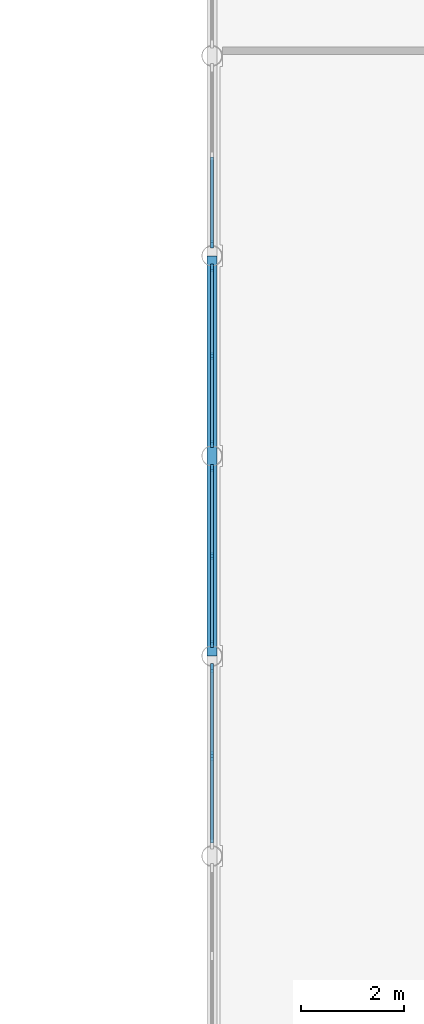
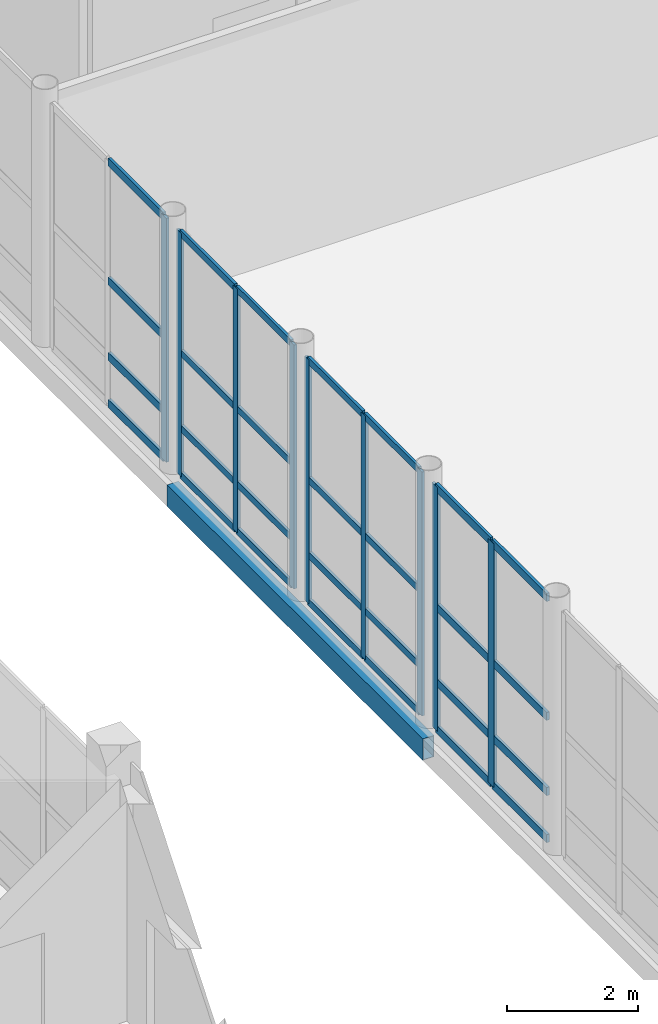
# One storey, part 35 of 131: 37 members, 1 beam, 4 elements without a shape of their own.
"""IFC4 building model written with IfcOpenShell, lengths in metres."""

from ifc_helpers import new_model, si_unit, direction, frame, origin, origin_2d, place, context, subcontext, project, spatial, rectangle, hollow_rectangle, extrude, material, layer, layer_set, material_profile, profile_set, type_object, element, aggregate, save


model = new_model("IFC4")

# Units and contexts
model_context = context("Model", 3, precision=1e-05, world=origin(), true_north=direction((0.0, 1.0)))
body_context = subcontext(model_context, "Body", "Model", "MODEL_VIEW")
ifc_project = project(units=[si_unit("LENGTHUNIT", "METRE"), si_unit("AREAUNIT", "SQUARE_METRE"), si_unit("VOLUMEUNIT", "CUBIC_METRE"), si_unit("PLANEANGLEUNIT", "RADIAN"), si_unit("MASSUNIT", "GRAM", prefix="KILO")], contexts=[model_context])

# Site, building, storey
site_placement = place(None, origin())
site = spatial("IfcSite", under=ifc_project, at=site_placement, CompositionType="ELEMENT")
building_placement = place(site_placement, origin())
building = spatial("IfcBuilding", under=site, at=building_placement, Name="Celorna Specialist Clinic", CompositionType="ELEMENT")
storey_placement = place(building_placement, origin())
storey = spatial("IfcBuildingStorey", under=building, at=storey_placement, Name="L00", CompositionType="ELEMENT", Elevation=0.0)

# Beam
ifc_material_1 = material(Name="Steel S355", Category="steel")
ifc_material_profile_1 = material_profile(ifc_material_1, hollow_rectangle(XDim=0.199951171875, YDim=0.39990234375, WallThickness=0.011962890625, at=origin_2d()), Name="RHS 200x400x12")
ifc_profile_set_1 = profile_set([ifc_material_profile_1], Name="Steel S355")
beam_type = type_object("IfcBeamType", Name="BM-15", PredefinedType="SPANDREL", material=ifc_profile_set_1)
beam_placement = place(storey_placement, frame((54.60009765625, 54.60009765625, -0.5), z_axis=(0.0, 1.0, 0.0), x_axis=(-1.0, 0.0, 0.0)))
element("IfcBeam", 1, at=beam_placement, inside=storey, type_object=beam_type, Name="Spandrel beam BM-15 #162", PredefinedType="SPANDREL", context=body_context, shape_type="SweptSolid", body=[
    extrude(hollow_rectangle(XDim=0.199951171875, YDim=0.39990234375, WallThickness=0.011962890625, at=origin_2d()), origin(), (0.0, 0.0, 1.0), 7.7998046875),
])

# Curtain wall, member
ifc_material_2 = material(Name="Thermally broken aluminium and solar-control glass curtain wall", Category="aluminium")
ifc_layer_1 = layer(ifc_material_2, 0.159912109375, Name="Thermally broken aluminium and solar-control glass curtain wall")
ifc_layer_set_1 = layer_set([ifc_layer_1], Name="Thermally broken aluminium and solar-control glass curtain wall")
curtain_wall_type_1 = type_object("IfcCurtainWallType", Name="CW-06", PredefinedType="NOTDEFINED", material=ifc_layer_set_1)
curtain_wall_1_placement = place(storey_placement, origin())
curtain_wall_1 = element("IfcCurtainWall", 2, at=curtain_wall_1_placement, inside=storey, type_object=curtain_wall_type_1, Name="Curtain wall CW-06 #14", PredefinedType="NOTDEFINED")
ifc_material_3 = material(Name="Anodized aluminium mullion", Category="aluminium")
ifc_material_profile_2 = material_profile(ifc_material_3, rectangle(XDim=0.050048828125, YDim=0.159912109375, at=origin_2d()), Name="ALU MULLION 50x160")
ifc_profile_set_2 = profile_set([ifc_material_profile_2], Name="Anodized aluminium mullion")
member_type_1 = type_object("IfcMemberType", Name="ML-01", PredefinedType="MULLION", material=ifc_profile_set_2)
member_1_placement = place(storey_placement, frame((54.60009765625, 62.632080078125, 0.0), z_axis=(0.0, 0.0, 1.0), x_axis=(-1.0, 0.0, 0.0)))
member_1 = element("IfcMember", 3, at=member_1_placement, type_object=member_type_1, Name="CW-06 mullion 1", PredefinedType="MULLION", context=body_context, shape_type="SweptSolid", body=[
    extrude(rectangle(XDim=0.050048828125, YDim=0.159912109375, at=origin_2d()), origin(), (0.0, 0.0, 1.0), 4.5400390625),
])

# Curtain wall, members
ifc_layer_2 = layer(ifc_material_2, 0.159912109375, Name="Thermally broken aluminium and solar-control glass curtain wall")
ifc_layer_set_2 = layer_set([ifc_layer_2], Name="Thermally broken aluminium and solar-control glass curtain wall")
curtain_wall_type_2 = type_object("IfcCurtainWallType", Name="CW-04", PredefinedType="NOTDEFINED", material=ifc_layer_set_2)
curtain_wall_2_placement = place(storey_placement, origin())
curtain_wall_2 = element("IfcCurtainWall", 4, at=curtain_wall_2_placement, inside=storey, type_object=curtain_wall_type_2, Name="Curtain wall CW-04 #11", PredefinedType="NOTDEFINED")
ifc_material_profile_3 = material_profile(ifc_material_3, rectangle(XDim=0.050048828125, YDim=0.179931640625, at=origin_2d()), Name="ALU MULLION 50x180")
ifc_profile_set_3 = profile_set([ifc_material_profile_3], Name="Anodized aluminium mullion")
member_type_2 = type_object("IfcMemberType", Name="ML-02", PredefinedType="MULLION", material=ifc_profile_set_3)
member_2_placement = place(storey_placement, frame((54.60009765625, 52.64990234375, 0.0), z_axis=(0.0, 0.0, 1.0), x_axis=(-1.0, 0.0, 0.0)))
member_2 = element("IfcMember", 5, at=member_2_placement, type_object=member_type_2, Name="CW-04 mullion 2", PredefinedType="MULLION", context=body_context, shape_type="SweptSolid", body=[
    extrude(rectangle(XDim=0.050048828125, YDim=0.179931640625, at=origin_2d()), origin(), (0.0, 0.0, 1.0), 4.5400390625),
])
member_3_placement = place(storey_placement, frame((54.60009765625, 54.367919921875, 0.0), z_axis=(0.0, 0.0, 1.0), x_axis=(-1.0, 0.0, 0.0)))
member_3 = element("IfcMember", 6, at=member_3_placement, type_object=member_type_2, Name="CW-04 mullion 3", PredefinedType="MULLION", context=body_context, shape_type="SweptSolid", body=[
    extrude(rectangle(XDim=0.050048828125, YDim=0.179931640625, at=origin_2d()), origin(), (0.0, 0.0, 1.0), 4.5400390625),
])

ifc_layer_3 = layer(ifc_material_2, 0.159912109375, Name="Thermally broken aluminium and solar-control glass curtain wall")
ifc_layer_set_3 = layer_set([ifc_layer_3], Name="Thermally broken aluminium and solar-control glass curtain wall")
curtain_wall_type_3 = type_object("IfcCurtainWallType", Name="CW-05", PredefinedType="NOTDEFINED", material=ifc_layer_set_3)
curtain_wall_3_placement = place(storey_placement, origin())
curtain_wall_3 = element("IfcCurtainWall", 7, at=curtain_wall_3_placement, inside=storey, type_object=curtain_wall_type_3, Name="Curtain wall CW-05 #12", PredefinedType="NOTDEFINED")
ifc_material_profile_4 = material_profile(ifc_material_3, rectangle(XDim=0.050048828125, YDim=0.139892578125, at=origin_2d()), Name="ALU MULLION 50x140")
ifc_profile_set_4 = profile_set([ifc_material_profile_4], Name="Anodized aluminium mullion")
member_type_3 = type_object("IfcMemberType", Name="ML-03", PredefinedType="MULLION", material=ifc_profile_set_4)
member_4_placement = place(storey_placement, frame((54.60009765625, 54.832275390625, 0.0), z_axis=(0.0, 0.0, 1.0), x_axis=(-1.0, 0.0, 0.0)))
member_4 = element("IfcMember", 8, at=member_4_placement, type_object=member_type_3, Name="CW-05 mullion 1", PredefinedType="MULLION", context=body_context, shape_type="SweptSolid", body=[
    extrude(rectangle(XDim=0.050048828125, YDim=0.139892578125, at=origin_2d()), origin(), (0.0, 0.0, 1.0), 4.5400390625),
])
member_5_placement = place(storey_placement, frame((54.60009765625, 56.550048828125, 0.0), z_axis=(0.0, 0.0, 1.0), x_axis=(-1.0, 0.0, 0.0)))
member_5 = element("IfcMember", 9, at=member_5_placement, type_object=member_type_3, Name="CW-05 mullion 2", PredefinedType="MULLION", context=body_context, shape_type="SweptSolid", body=[
    extrude(rectangle(XDim=0.050048828125, YDim=0.139892578125, at=origin_2d()), origin(), (0.0, 0.0, 1.0), 4.5400390625),
])
member_6_placement = place(storey_placement, frame((54.60009765625, 58.267822265625, 0.0), z_axis=(0.0, 0.0, 1.0), x_axis=(-1.0, 0.0, 0.0)))
member_6 = element("IfcMember", 10, at=member_6_placement, type_object=member_type_3, Name="CW-05 mullion 3", PredefinedType="MULLION", context=body_context, shape_type="SweptSolid", body=[
    extrude(rectangle(XDim=0.050048828125, YDim=0.139892578125, at=origin_2d()), origin(), (0.0, 0.0, 1.0), 4.5400390625),
])

curtain_wall_4_placement = place(storey_placement, origin())
curtain_wall_4 = element("IfcCurtainWall", 11, at=curtain_wall_4_placement, inside=storey, type_object=curtain_wall_type_3, Name="Curtain wall CW-05 #13", PredefinedType="NOTDEFINED")
member_7_placement = place(storey_placement, frame((54.60009765625, 58.732177734375, 0.0), z_axis=(0.0, 0.0, 1.0), x_axis=(-1.0, 0.0, 0.0)))
member_7 = element("IfcMember", 12, at=member_7_placement, type_object=member_type_3, Name="CW-05 mullion 1", PredefinedType="MULLION", context=body_context, shape_type="SweptSolid", body=[
    extrude(rectangle(XDim=0.050048828125, YDim=0.139892578125, at=origin_2d()), origin(), (0.0, 0.0, 1.0), 4.5400390625),
])
member_8_placement = place(storey_placement, frame((54.60009765625, 60.449951171875, 0.0), z_axis=(0.0, 0.0, 1.0), x_axis=(-1.0, 0.0, 0.0)))
member_8 = element("IfcMember", 13, at=member_8_placement, type_object=member_type_3, Name="CW-05 mullion 2", PredefinedType="MULLION", context=body_context, shape_type="SweptSolid", body=[
    extrude(rectangle(XDim=0.050048828125, YDim=0.139892578125, at=origin_2d()), origin(), (0.0, 0.0, 1.0), 4.5400390625),
])
member_9_placement = place(storey_placement, frame((54.60009765625, 62.167724609375, 0.0), z_axis=(0.0, 0.0, 1.0), x_axis=(-1.0, 0.0, 0.0)))
member_9 = element("IfcMember", 14, at=member_9_placement, type_object=member_type_3, Name="CW-05 mullion 3", PredefinedType="MULLION", context=body_context, shape_type="SweptSolid", body=[
    extrude(rectangle(XDim=0.050048828125, YDim=0.139892578125, at=origin_2d()), origin(), (0.0, 0.0, 1.0), 4.5400390625),
])

# Member
ifc_material_4 = material(Name="Anodized aluminium transom", Category="aluminium")
ifc_material_profile_5 = material_profile(ifc_material_4, rectangle(XDim=0.050048828125, YDim=0.1298828125, at=origin_2d()), Name="ALU TRANSOM 50x130")
ifc_profile_set_5 = profile_set([ifc_material_profile_5], Name="Anodized aluminium transom")
member_type_4 = type_object("IfcMemberType", Name="TR-01", PredefinedType="USERDEFINED", material=ifc_profile_set_5)
member_10_placement = place(storey_placement, frame((54.60009765625, 54.857177734375, 0.02490234375), z_axis=(0.0, 1.0, 0.0), x_axis=(-1.0, 0.0, 0.0)))
member_10 = element("IfcMember", 15, at=member_10_placement, type_object=member_type_4, Name="CW-05 transom 1.1", ObjectType="TRANSOM", PredefinedType="USERDEFINED", context=body_context, shape_type="SweptSolid", body=[
    extrude(rectangle(XDim=0.050048828125, YDim=0.1298828125, at=origin_2d()), origin(), (0.0, 0.0, 1.0), 1.667724609375),
])

member_11_placement = place(storey_placement, frame((54.60009765625, 54.857177734375, 0.89990234375), z_axis=(0.0, 1.0, 0.0), x_axis=(-1.0, 0.0, 0.0)))
member_11 = element("IfcMember", 16, at=member_11_placement, type_object=member_type_4, Name="CW-05 transom 1.2", ObjectType="TRANSOM", PredefinedType="USERDEFINED", context=body_context, shape_type="SweptSolid", body=[
    extrude(rectangle(XDim=0.050048828125, YDim=0.1298828125, at=origin_2d()), origin(), (0.0, 0.0, 1.0), 1.667724609375),
])

member_12_placement = place(storey_placement, frame((54.60009765625, 54.857177734375, 2.300048828125), z_axis=(0.0, 1.0, 0.0), x_axis=(-1.0, 0.0, 0.0)))
member_12 = element("IfcMember", 17, at=member_12_placement, type_object=member_type_4, Name="CW-05 transom 1.3", ObjectType="TRANSOM", PredefinedType="USERDEFINED", context=body_context, shape_type="SweptSolid", body=[
    extrude(rectangle(XDim=0.050048828125, YDim=0.1298828125, at=origin_2d()), origin(), (0.0, 0.0, 1.0), 1.667724609375),
])

member_13_placement = place(storey_placement, frame((54.60009765625, 54.857177734375, 4.514892578125), z_axis=(0.0, 1.0, 0.0), x_axis=(-1.0, 0.0, 0.0)))
member_13 = element("IfcMember", 18, at=member_13_placement, type_object=member_type_4, Name="CW-05 transom 1.4", ObjectType="TRANSOM", PredefinedType="USERDEFINED", context=body_context, shape_type="SweptSolid", body=[
    extrude(rectangle(XDim=0.050048828125, YDim=0.1298828125, at=origin_2d()), origin(), (0.0, 0.0, 1.0), 1.667724609375),
])

member_14_placement = place(storey_placement, frame((54.60009765625, 56.574951171875, 0.02490234375), z_axis=(0.0, 1.0, 0.0), x_axis=(-1.0, 0.0, 0.0)))
member_14 = element("IfcMember", 19, at=member_14_placement, type_object=member_type_4, Name="CW-05 transom 2.1", ObjectType="TRANSOM", PredefinedType="USERDEFINED", context=body_context, shape_type="SweptSolid", body=[
    extrude(rectangle(XDim=0.050048828125, YDim=0.1298828125, at=origin_2d()), origin(), (0.0, 0.0, 1.0), 1.66796875),
])

member_15_placement = place(storey_placement, frame((54.60009765625, 56.574951171875, 0.89990234375), z_axis=(0.0, 1.0, 0.0), x_axis=(-1.0, 0.0, 0.0)))
member_15 = element("IfcMember", 20, at=member_15_placement, type_object=member_type_4, Name="CW-05 transom 2.2", ObjectType="TRANSOM", PredefinedType="USERDEFINED", context=body_context, shape_type="SweptSolid", body=[
    extrude(rectangle(XDim=0.050048828125, YDim=0.1298828125, at=origin_2d()), origin(), (0.0, 0.0, 1.0), 1.66796875),
])

member_16_placement = place(storey_placement, frame((54.60009765625, 56.574951171875, 2.300048828125), z_axis=(0.0, 1.0, 0.0), x_axis=(-1.0, 0.0, 0.0)))
member_16 = element("IfcMember", 21, at=member_16_placement, type_object=member_type_4, Name="CW-05 transom 2.3", ObjectType="TRANSOM", PredefinedType="USERDEFINED", context=body_context, shape_type="SweptSolid", body=[
    extrude(rectangle(XDim=0.050048828125, YDim=0.1298828125, at=origin_2d()), origin(), (0.0, 0.0, 1.0), 1.66796875),
])

member_17_placement = place(storey_placement, frame((54.60009765625, 56.574951171875, 4.514892578125), z_axis=(0.0, 1.0, 0.0), x_axis=(-1.0, 0.0, 0.0)))
member_17 = element("IfcMember", 22, at=member_17_placement, type_object=member_type_4, Name="CW-05 transom 2.4", ObjectType="TRANSOM", PredefinedType="USERDEFINED", context=body_context, shape_type="SweptSolid", body=[
    extrude(rectangle(XDim=0.050048828125, YDim=0.1298828125, at=origin_2d()), origin(), (0.0, 0.0, 1.0), 1.66796875),
])

aggregate(curtain_wall_3, [member_4, member_5, member_6, member_10, member_11, member_12, member_13, member_14, member_15, member_16, member_17])

member_18_placement = place(storey_placement, frame((54.60009765625, 58.757080078125, 0.02490234375), z_axis=(0.0, 1.0, 0.0), x_axis=(-1.0, 0.0, 0.0)))
member_18 = element("IfcMember", 23, at=member_18_placement, type_object=member_type_4, Name="CW-05 transom 1.1", ObjectType="TRANSOM", PredefinedType="USERDEFINED", context=body_context, shape_type="SweptSolid", body=[
    extrude(rectangle(XDim=0.050048828125, YDim=0.1298828125, at=origin_2d()), origin(), (0.0, 0.0, 1.0), 1.66796875),
])

member_19_placement = place(storey_placement, frame((54.60009765625, 58.757080078125, 0.89990234375), z_axis=(0.0, 1.0, 0.0), x_axis=(-1.0, 0.0, 0.0)))
member_19 = element("IfcMember", 24, at=member_19_placement, type_object=member_type_4, Name="CW-05 transom 1.2", ObjectType="TRANSOM", PredefinedType="USERDEFINED", context=body_context, shape_type="SweptSolid", body=[
    extrude(rectangle(XDim=0.050048828125, YDim=0.1298828125, at=origin_2d()), origin(), (0.0, 0.0, 1.0), 1.66796875),
])

member_20_placement = place(storey_placement, frame((54.60009765625, 58.757080078125, 2.300048828125), z_axis=(0.0, 1.0, 0.0), x_axis=(-1.0, 0.0, 0.0)))
member_20 = element("IfcMember", 25, at=member_20_placement, type_object=member_type_4, Name="CW-05 transom 1.3", ObjectType="TRANSOM", PredefinedType="USERDEFINED", context=body_context, shape_type="SweptSolid", body=[
    extrude(rectangle(XDim=0.050048828125, YDim=0.1298828125, at=origin_2d()), origin(), (0.0, 0.0, 1.0), 1.66796875),
])

member_21_placement = place(storey_placement, frame((54.60009765625, 58.757080078125, 4.514892578125), z_axis=(0.0, 1.0, 0.0), x_axis=(-1.0, 0.0, 0.0)))
member_21 = element("IfcMember", 26, at=member_21_placement, type_object=member_type_4, Name="CW-05 transom 1.4", ObjectType="TRANSOM", PredefinedType="USERDEFINED", context=body_context, shape_type="SweptSolid", body=[
    extrude(rectangle(XDim=0.050048828125, YDim=0.1298828125, at=origin_2d()), origin(), (0.0, 0.0, 1.0), 1.66796875),
])

member_22_placement = place(storey_placement, frame((54.60009765625, 60.47509765625, 0.02490234375), z_axis=(0.0, 1.0, 0.0), x_axis=(-1.0, 0.0, 0.0)))
member_22 = element("IfcMember", 27, at=member_22_placement, type_object=member_type_4, Name="CW-05 transom 2.1", ObjectType="TRANSOM", PredefinedType="USERDEFINED", context=body_context, shape_type="SweptSolid", body=[
    extrude(rectangle(XDim=0.050048828125, YDim=0.1298828125, at=origin_2d()), origin(), (0.0, 0.0, 1.0), 1.667724609375),
])

member_23_placement = place(storey_placement, frame((54.60009765625, 60.47509765625, 0.89990234375), z_axis=(0.0, 1.0, 0.0), x_axis=(-1.0, 0.0, 0.0)))
member_23 = element("IfcMember", 28, at=member_23_placement, type_object=member_type_4, Name="CW-05 transom 2.2", ObjectType="TRANSOM", PredefinedType="USERDEFINED", context=body_context, shape_type="SweptSolid", body=[
    extrude(rectangle(XDim=0.050048828125, YDim=0.1298828125, at=origin_2d()), origin(), (0.0, 0.0, 1.0), 1.667724609375),
])

member_24_placement = place(storey_placement, frame((54.60009765625, 60.47509765625, 2.300048828125), z_axis=(0.0, 1.0, 0.0), x_axis=(-1.0, 0.0, 0.0)))
member_24 = element("IfcMember", 29, at=member_24_placement, type_object=member_type_4, Name="CW-05 transom 2.3", ObjectType="TRANSOM", PredefinedType="USERDEFINED", context=body_context, shape_type="SweptSolid", body=[
    extrude(rectangle(XDim=0.050048828125, YDim=0.1298828125, at=origin_2d()), origin(), (0.0, 0.0, 1.0), 1.667724609375),
])

member_25_placement = place(storey_placement, frame((54.60009765625, 60.47509765625, 4.514892578125), z_axis=(0.0, 1.0, 0.0), x_axis=(-1.0, 0.0, 0.0)))
member_25 = element("IfcMember", 30, at=member_25_placement, type_object=member_type_4, Name="CW-05 transom 2.4", ObjectType="TRANSOM", PredefinedType="USERDEFINED", context=body_context, shape_type="SweptSolid", body=[
    extrude(rectangle(XDim=0.050048828125, YDim=0.1298828125, at=origin_2d()), origin(), (0.0, 0.0, 1.0), 1.667724609375),
])

aggregate(curtain_wall_4, [member_7, member_8, member_9, member_18, member_19, member_20, member_21, member_22, member_23, member_24, member_25])

ifc_material_profile_6 = material_profile(ifc_material_4, rectangle(XDim=0.050048828125, YDim=0.14990234375, at=origin_2d()), Name="ALU TRANSOM 50x150")
ifc_profile_set_6 = profile_set([ifc_material_profile_6], Name="Anodized aluminium transom")
member_type_5 = type_object("IfcMemberType", Name="TR-02", PredefinedType="USERDEFINED", material=ifc_profile_set_6)
member_26_placement = place(storey_placement, frame((54.60009765625, 50.957275390625, 0.02490234375), z_axis=(0.0, 1.0, 0.0), x_axis=(-1.0, 0.0, 0.0)))
member_26 = element("IfcMember", 31, at=member_26_placement, type_object=member_type_5, Name="CW-04 transom 1.1", ObjectType="TRANSOM", PredefinedType="USERDEFINED", context=body_context, shape_type="SweptSolid", body=[
    extrude(rectangle(XDim=0.050048828125, YDim=0.14990234375, at=origin_2d()), origin(), (0.0, 0.0, 1.0), 1.667724609375),
])

member_27_placement = place(storey_placement, frame((54.60009765625, 50.957275390625, 0.89990234375), z_axis=(0.0, 1.0, 0.0), x_axis=(-1.0, 0.0, 0.0)))
member_27 = element("IfcMember", 32, at=member_27_placement, type_object=member_type_5, Name="CW-04 transom 1.2", ObjectType="TRANSOM", PredefinedType="USERDEFINED", context=body_context, shape_type="SweptSolid", body=[
    extrude(rectangle(XDim=0.050048828125, YDim=0.14990234375, at=origin_2d()), origin(), (0.0, 0.0, 1.0), 1.667724609375),
])

member_28_placement = place(storey_placement, frame((54.60009765625, 50.957275390625, 2.300048828125), z_axis=(0.0, 1.0, 0.0), x_axis=(-1.0, 0.0, 0.0)))
member_28 = element("IfcMember", 33, at=member_28_placement, type_object=member_type_5, Name="CW-04 transom 1.3", ObjectType="TRANSOM", PredefinedType="USERDEFINED", context=body_context, shape_type="SweptSolid", body=[
    extrude(rectangle(XDim=0.050048828125, YDim=0.14990234375, at=origin_2d()), origin(), (0.0, 0.0, 1.0), 1.667724609375),
])

member_29_placement = place(storey_placement, frame((54.60009765625, 50.957275390625, 4.514892578125), z_axis=(0.0, 1.0, 0.0), x_axis=(-1.0, 0.0, 0.0)))
member_29 = element("IfcMember", 34, at=member_29_placement, type_object=member_type_5, Name="CW-04 transom 1.4", ObjectType="TRANSOM", PredefinedType="USERDEFINED", context=body_context, shape_type="SweptSolid", body=[
    extrude(rectangle(XDim=0.050048828125, YDim=0.14990234375, at=origin_2d()), origin(), (0.0, 0.0, 1.0), 1.667724609375),
])

member_30_placement = place(storey_placement, frame((54.60009765625, 52.675048828125, 0.02490234375), z_axis=(0.0, 1.0, 0.0), x_axis=(-1.0, 0.0, 0.0)))
member_30 = element("IfcMember", 35, at=member_30_placement, type_object=member_type_5, Name="CW-04 transom 2.1", ObjectType="TRANSOM", PredefinedType="USERDEFINED", context=body_context, shape_type="SweptSolid", body=[
    extrude(rectangle(XDim=0.050048828125, YDim=0.14990234375, at=origin_2d()), origin(), (0.0, 0.0, 1.0), 1.667724609375),
])

member_31_placement = place(storey_placement, frame((54.60009765625, 52.675048828125, 0.89990234375), z_axis=(0.0, 1.0, 0.0), x_axis=(-1.0, 0.0, 0.0)))
member_31 = element("IfcMember", 36, at=member_31_placement, type_object=member_type_5, Name="CW-04 transom 2.2", ObjectType="TRANSOM", PredefinedType="USERDEFINED", context=body_context, shape_type="SweptSolid", body=[
    extrude(rectangle(XDim=0.050048828125, YDim=0.14990234375, at=origin_2d()), origin(), (0.0, 0.0, 1.0), 1.667724609375),
])

member_32_placement = place(storey_placement, frame((54.60009765625, 52.675048828125, 2.300048828125), z_axis=(0.0, 1.0, 0.0), x_axis=(-1.0, 0.0, 0.0)))
member_32 = element("IfcMember", 37, at=member_32_placement, type_object=member_type_5, Name="CW-04 transom 2.3", ObjectType="TRANSOM", PredefinedType="USERDEFINED", context=body_context, shape_type="SweptSolid", body=[
    extrude(rectangle(XDim=0.050048828125, YDim=0.14990234375, at=origin_2d()), origin(), (0.0, 0.0, 1.0), 1.667724609375),
])

member_33_placement = place(storey_placement, frame((54.60009765625, 52.675048828125, 4.514892578125), z_axis=(0.0, 1.0, 0.0), x_axis=(-1.0, 0.0, 0.0)))
member_33 = element("IfcMember", 38, at=member_33_placement, type_object=member_type_5, Name="CW-04 transom 2.4", ObjectType="TRANSOM", PredefinedType="USERDEFINED", context=body_context, shape_type="SweptSolid", body=[
    extrude(rectangle(XDim=0.050048828125, YDim=0.14990234375, at=origin_2d()), origin(), (0.0, 0.0, 1.0), 1.667724609375),
])

aggregate(curtain_wall_2, [member_2, member_3, member_26, member_27, member_28, member_29, member_30, member_31, member_32, member_33])

member_34_placement = place(storey_placement, frame((54.60009765625, 62.6572265625, 0.02490234375), z_axis=(0.0, 1.0, 0.0), x_axis=(-1.0, 0.0, 0.0)))
member_34 = element("IfcMember", 39, at=member_34_placement, type_object=member_type_5, Name="CW-06 transom 1.1", ObjectType="TRANSOM", PredefinedType="USERDEFINED", context=body_context, shape_type="SweptSolid", body=[
    extrude(rectangle(XDim=0.050048828125, YDim=0.14990234375, at=origin_2d()), origin(), (0.0, 0.0, 1.0), 1.667724609375),
])

member_35_placement = place(storey_placement, frame((54.60009765625, 62.6572265625, 0.89990234375), z_axis=(0.0, 1.0, 0.0), x_axis=(-1.0, 0.0, 0.0)))
member_35 = element("IfcMember", 40, at=member_35_placement, type_object=member_type_5, Name="CW-06 transom 1.2", ObjectType="TRANSOM", PredefinedType="USERDEFINED", context=body_context, shape_type="SweptSolid", body=[
    extrude(rectangle(XDim=0.050048828125, YDim=0.14990234375, at=origin_2d()), origin(), (0.0, 0.0, 1.0), 1.667724609375),
])

member_36_placement = place(storey_placement, frame((54.60009765625, 62.6572265625, 2.300048828125), z_axis=(0.0, 1.0, 0.0), x_axis=(-1.0, 0.0, 0.0)))
member_36 = element("IfcMember", 41, at=member_36_placement, type_object=member_type_5, Name="CW-06 transom 1.3", ObjectType="TRANSOM", PredefinedType="USERDEFINED", context=body_context, shape_type="SweptSolid", body=[
    extrude(rectangle(XDim=0.050048828125, YDim=0.14990234375, at=origin_2d()), origin(), (0.0, 0.0, 1.0), 1.667724609375),
])

member_37_placement = place(storey_placement, frame((54.60009765625, 62.6572265625, 4.514892578125), z_axis=(0.0, 1.0, 0.0), x_axis=(-1.0, 0.0, 0.0)))
member_37 = element("IfcMember", 42, at=member_37_placement, type_object=member_type_5, Name="CW-06 transom 1.4", ObjectType="TRANSOM", PredefinedType="USERDEFINED", context=body_context, shape_type="SweptSolid", body=[
    extrude(rectangle(XDim=0.050048828125, YDim=0.14990234375, at=origin_2d()), origin(), (0.0, 0.0, 1.0), 1.667724609375),
])

aggregate(curtain_wall_1, [member_1, member_34, member_35, member_36, member_37])

save(model, "model.ifc")
